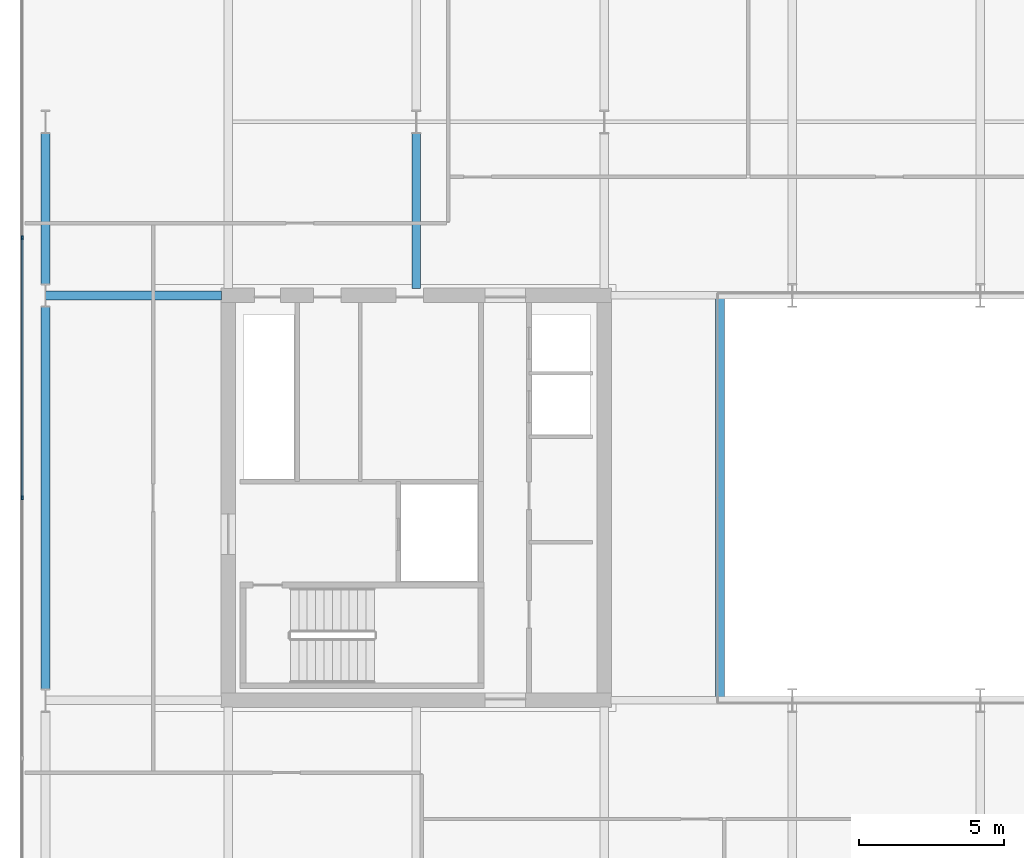
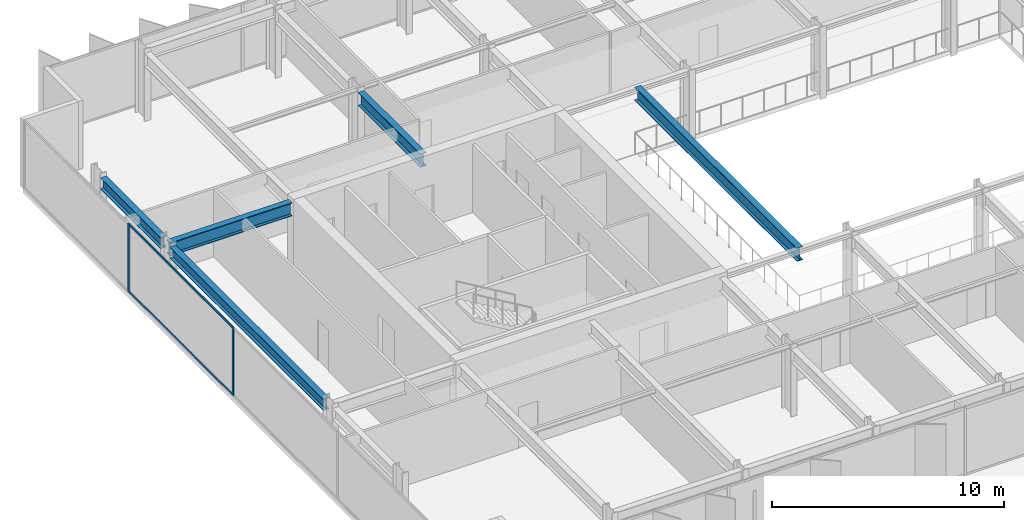
# One storey, part 5 of 23: 5 beams, 4 members, 1 element without a shape of its own.
"""IFC4 building model written with IfcOpenShell, lengths in metres."""

from ifc_helpers import new_model, si_unit, direction, frame, origin, origin_2d, place, context, subcontext, project, spatial, rectangle, i_section, extrude, material, layer, layer_set, material_profile, profile_set, type_object, element, aggregate, save


model = new_model("IFC4")

# Units and contexts
model_context = context("Model", 3, precision=1e-05, world=origin(), true_north=direction((0.0, 1.0)))
body_context = subcontext(model_context, "Body", "Model", "MODEL_VIEW")
ifc_project = project(units=[si_unit("LENGTHUNIT", "METRE"), si_unit("AREAUNIT", "SQUARE_METRE"), si_unit("VOLUMEUNIT", "CUBIC_METRE"), si_unit("PLANEANGLEUNIT", "RADIAN"), si_unit("MASSUNIT", "GRAM", prefix="KILO")], contexts=[model_context])

# Site, building, storey
site_placement = place(None, origin())
site = spatial("IfcSite", under=ifc_project, at=site_placement, CompositionType="ELEMENT")
building_placement = place(site_placement, origin())
building = spatial("IfcBuilding", under=site, at=building_placement, Name="Putna Gate Headquarters", CompositionType="ELEMENT")
storey_placement = place(building_placement, frame((0.0, 0.0, 202.39990234375)))
storey = spatial("IfcBuildingStorey", under=building, at=storey_placement, Name="L50", CompositionType="ELEMENT", Elevation=202.39990234375)

# Beams
ifc_material_1 = material(Name="Steel S355J2", Category="steel")
ifc_material_profile_1 = material_profile(ifc_material_1, i_section(OverallWidth=0.300048828125, OverallDepth=0.699951171875, WebThickness=0.01708984375, FlangeThickness=0.031982421875, at=origin_2d()), Name="Steel S355J2")
ifc_profile_set_1 = profile_set([ifc_material_profile_1], Name="Steel S355J2")
beam_type_1 = type_object("IfcBeamType", Name="BM-GIRD-B-HEB700", PredefinedType="USERDEFINED", material=ifc_profile_set_1)
beam_1_placement = place(storey_placement, frame((6.68603515625, 33.0, 3.22998046875), z_axis=(1.0, 0.0, 0.0), x_axis=(0.0, 1.0, 0.0)))
element("IfcBeam", 1, at=beam_1_placement, inside=storey, type_object=beam_type_1, Name="L50 West Wing Girder Y33", ObjectType="GIRDER", PredefinedType="USERDEFINED", context=body_context, shape_type="SweptSolid", body=[
    extrude(i_section(OverallWidth=0.300048828125, OverallDepth=0.699951171875, WebThickness=0.01708984375, FlangeThickness=0.031982421875, at=origin_2d()), origin(), (0.0, 0.0, 1.0), 6.078857421875),
])
beam_2_placement = place(storey_placement, frame((19.5, 33.235107421875, 3.22998046875), z_axis=(0.0, 1.0, 0.0), x_axis=(-1.0, 0.0, 0.0)))
element("IfcBeam", 2, at=beam_2_placement, inside=storey, type_object=beam_type_1, Name="L50 North Primary Girder X19-1", ObjectType="GIRDER", PredefinedType="USERDEFINED", context=body_context, shape_type="SweptSolid", body=[
    extrude(i_section(OverallWidth=0.300048828125, OverallDepth=0.699951171875, WebThickness=0.01708984375, FlangeThickness=0.031982421875, at=origin_2d()), origin(), (0.0, 0.0, 1.0), 5.369873046875),
])
beam_3_placement = place(storey_placement, frame((30.0, 19.010009765625, 3.22998046875), z_axis=(0.0, 1.0, 0.0), x_axis=(-1.0, 0.0, 0.0)))
element("IfcBeam", 3, at=beam_3_placement, inside=storey, type_object=beam_type_1, Name="L50 Atrium Trim Girder AW", ObjectType="GIRDER", PredefinedType="USERDEFINED", context=body_context, shape_type="SweptSolid", body=[
    extrude(i_section(OverallWidth=0.300048828125, OverallDepth=0.699951171875, WebThickness=0.01708984375, FlangeThickness=0.031982421875, at=origin_2d()), origin(), (0.0, 0.0, 1.0), 13.97998046875),
])
ifc_material_profile_2 = material_profile(ifc_material_1, i_section(OverallWidth=0.300048828125, OverallDepth=0.590087890625, WebThickness=0.012939453125, FlangeThickness=0.02490234375, at=origin_2d()), Name="Steel S355J2")
ifc_profile_set_2 = profile_set([ifc_material_profile_2], Name="Steel S355J2")
beam_type_2 = type_object("IfcBeamType", Name="BM-SPAN-Z4-HEA600", PredefinedType="SPANDREL", material=ifc_profile_set_2)
beam_4_placement = place(storey_placement, frame((6.679931640625, 19.39501953125, 3.28515625), z_axis=(0.0, 1.0, 0.0), x_axis=(-1.0, 0.0, 0.0)))
element("IfcBeam", 4, at=beam_4_placement, inside=storey, type_object=beam_type_2, Name="L50 W End Spandrel 2", PredefinedType="SPANDREL", context=body_context, shape_type="SweptSolid", body=[
    extrude(i_section(OverallWidth=0.300048828125, OverallDepth=0.590087890625, WebThickness=0.012939453125, FlangeThickness=0.02490234375, at=origin_2d()), origin(), (0.0, 0.0, 1.0), 13.2099609375),
])
beam_5_placement = place(storey_placement, frame((6.679931640625, 33.39501953125, 3.28515625), z_axis=(0.0, 1.0, 0.0), x_axis=(-1.0, 0.0, 0.0)))
element("IfcBeam", 5, at=beam_5_placement, inside=storey, type_object=beam_type_2, Name="L50 W End Spandrel 3", PredefinedType="SPANDREL", context=body_context, shape_type="SweptSolid", body=[
    extrude(i_section(OverallWidth=0.300048828125, OverallDepth=0.590087890625, WebThickness=0.012939453125, FlangeThickness=0.02490234375, at=origin_2d()), origin(), (0.0, 0.0, 1.0), 5.2099609375),
])

# Curtain wall, members
ifc_material_2 = material(Name="Anodised bronze aluminium curtain wall", Category="aluminium")
ifc_layer = layer(ifc_material_2, 0.139892578125)
ifc_layer_set = layer_set([ifc_layer], Name="Anodised bronze aluminium curtain wall")
curtain_wall_type = type_object("IfcCurtainWallType", Name="CW-SYS-Z4", PredefinedType="USERDEFINED", material=ifc_layer_set)
curtain_wall_placement = place(storey_placement, origin())
curtain_wall = element("IfcCurtainWall", 6, at=curtain_wall_placement, inside=storey, type_object=curtain_wall_type, Name="L50 West Curtain Wall", ObjectType="STICK CURTAIN WALL", PredefinedType="USERDEFINED")
ifc_material_3 = material(Name="Anodised bronze aluminium EN AW-6060", Category="aluminium")
ifc_material_profile_3 = material_profile(ifc_material_3, rectangle(XDim=0.06005859375, YDim=0.139892578125, at=origin_2d()), Name="Anodised bronze aluminium EN AW-6060")
ifc_profile_set_3 = profile_set([ifc_material_profile_3], Name="Anodised bronze aluminium EN AW-6060")
member_type_1 = type_object("IfcMemberType", Name="MULL-CWM-4", PredefinedType="MULLION", material=ifc_profile_set_3)
member_1_placement = place(storey_placement, frame((5.8798828125, 26.0, 0.0), z_axis=(0.0, 0.0, 1.0), x_axis=(-1.0, 0.0, 0.0)))
member_1 = element("IfcMember", 7, at=member_1_placement, type_object=member_type_1, Name="CWS-4 mullion 3", PredefinedType="MULLION", context=body_context, shape_type="SweptSolid", body=[
    extrude(rectangle(XDim=0.06005859375, YDim=0.139892578125, at=origin_2d()), origin(), (0.0, 0.0, 1.0), 3.580078125),
])
member_2_placement = place(storey_placement, frame((5.8798828125, 35.0, 0.0), z_axis=(0.0, 0.0, 1.0), x_axis=(-1.0, 0.0, 0.0)))
member_2 = element("IfcMember", 8, at=member_2_placement, type_object=member_type_1, Name="CWS-4 mullion 4", PredefinedType="MULLION", context=body_context, shape_type="SweptSolid", body=[
    extrude(rectangle(XDim=0.06005859375, YDim=0.139892578125, at=origin_2d()), origin(), (0.0, 0.0, 1.0), 3.580078125),
])
ifc_material_profile_4 = material_profile(ifc_material_3, rectangle(XDim=0.06005859375, YDim=0.10009765625, at=origin_2d()), Name="Anodised bronze aluminium EN AW-6060")
ifc_profile_set_4 = profile_set([ifc_material_profile_4], Name="Anodised bronze aluminium EN AW-6060")
member_type_2 = type_object("IfcMemberType", Name="TRAN-CWT-4", PredefinedType="USERDEFINED", material=ifc_profile_set_4)
member_3_placement = place(storey_placement, frame((5.8798828125, 26.030029296875, 0.030029296875), z_axis=(0.0, 1.0, 0.0), x_axis=(-1.0, 0.0, 0.0)))
member_3 = element("IfcMember", 9, at=member_3_placement, type_object=member_type_2, Name="CWS-4 transom 3.1", ObjectType="TRANSOM", PredefinedType="USERDEFINED", context=body_context, shape_type="SweptSolid", body=[
    extrude(rectangle(XDim=0.06005859375, YDim=0.10009765625, at=origin_2d()), origin(), (0.0, 0.0, 1.0), 8.93994140625),
])
member_4_placement = place(storey_placement, frame((5.8798828125, 26.030029296875, 3.550048828125), z_axis=(0.0, 1.0, 0.0), x_axis=(-1.0, 0.0, 0.0)))
member_4 = element("IfcMember", 10, at=member_4_placement, type_object=member_type_2, Name="CWS-4 transom 3.2", ObjectType="TRANSOM", PredefinedType="USERDEFINED", context=body_context, shape_type="SweptSolid", body=[
    extrude(rectangle(XDim=0.06005859375, YDim=0.10009765625, at=origin_2d()), origin(), (0.0, 0.0, 1.0), 8.93994140625),
])
aggregate(curtain_wall, [member_1, member_2, member_3, member_4])

save(model, "model.ifc")
